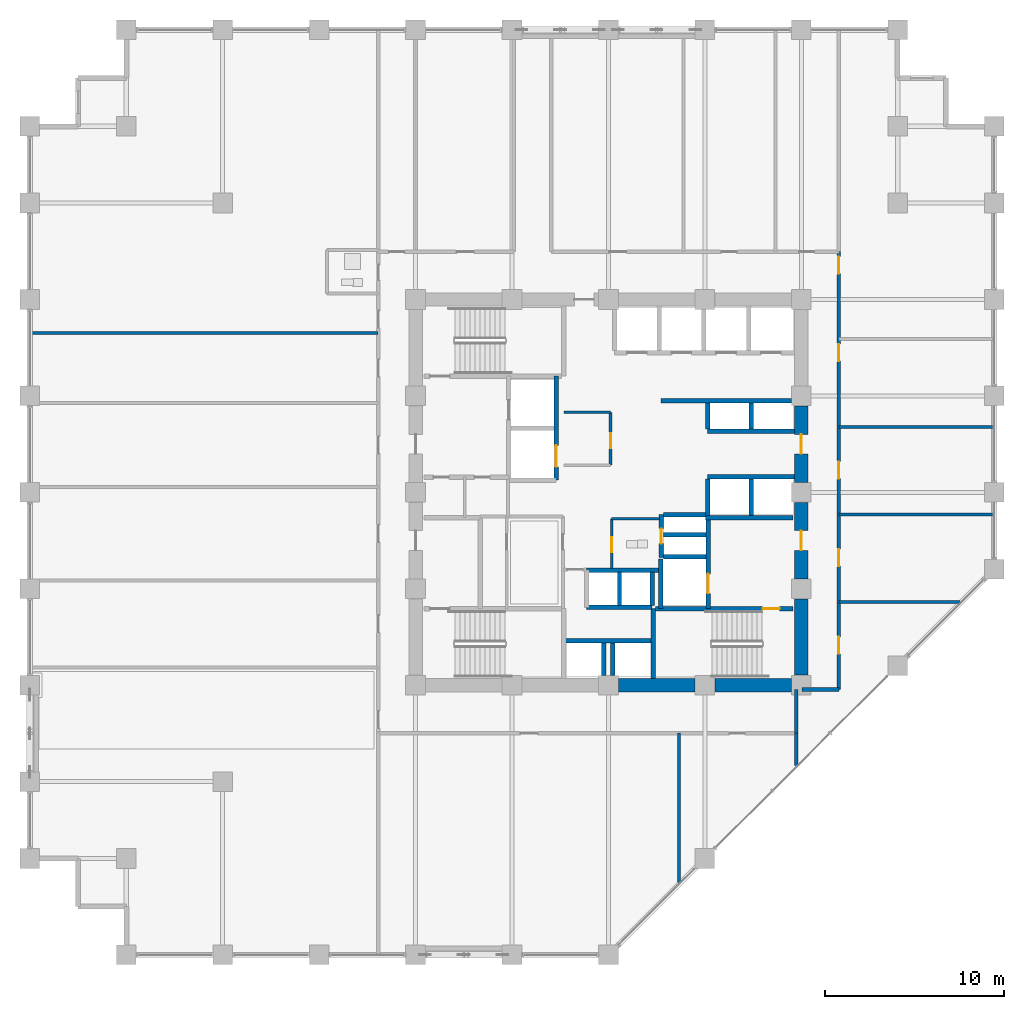
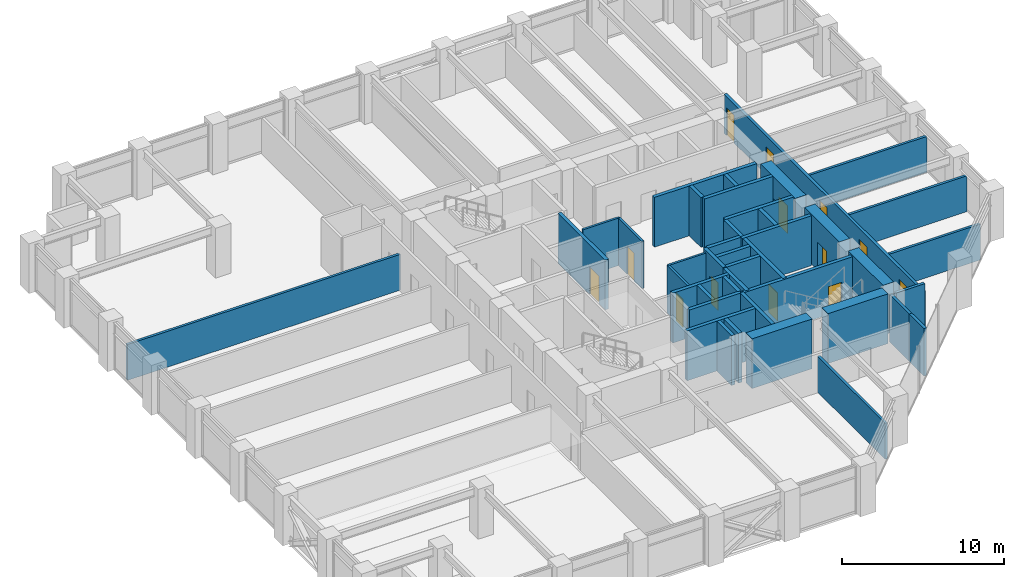
# One storey, part 20 of 25: 42 walls, 13 doors, 13 openings.
"""IFC4 building model written with IfcOpenShell, lengths in metres."""

from ifc_helpers import new_model, si_unit, direction, frame, frame_2d, origin, place, context, subcontext, project, spatial, rectangle, extrude, material, layer, layer_set, type_object, element, fill, save


model = new_model("IFC4")

# Units and contexts
model_context = context("Model", 3, precision=1e-05, world=origin(), true_north=direction((0.0, 1.0)))
body_context = subcontext(model_context, "Body", "Model", "MODEL_VIEW")
ifc_project = project(units=[si_unit("LENGTHUNIT", "METRE"), si_unit("AREAUNIT", "SQUARE_METRE"), si_unit("VOLUMEUNIT", "CUBIC_METRE"), si_unit("PLANEANGLEUNIT", "RADIAN"), si_unit("MASSUNIT", "GRAM", prefix="KILO")], contexts=[model_context])

# Site, building, storey
site_placement = place(None, origin())
site = spatial("IfcSite", under=ifc_project, at=site_placement, CompositionType="ELEMENT")
building_placement = place(site_placement, origin())
building = spatial("IfcBuilding", under=site, at=building_placement, Name="Surkhivell Harbour Commons", CompositionType="ELEMENT")
storey_placement = place(building_placement, frame((0.0, 0.0, 109.5)))
storey = spatial("IfcBuildingStorey", under=building, at=storey_placement, Name="L28", CompositionType="ELEMENT", Elevation=109.5)

# Wall
ifc_material_1 = material(Name="Concrete C60/75", Category="concrete")
ifc_layer_1 = layer(ifc_material_1, 0.75)
ifc_layer_set_1 = layer_set([ifc_layer_1], Name="Concrete C60/75")
wall_type_1 = type_object("IfcWallType", Name="WAL-CORE-750", PredefinedType="SHEAR", material=ifc_layer_set_1)
wall_1_placement = place(storey_placement, frame((10.800048828125, -10.239990234375, 0.0), z_axis=(0.0, 0.0, 1.0), x_axis=(0.0, 1.0, 0.0)))
element("IfcWall", 1, at=wall_1_placement, inside=storey, type_object=wall_type_1, Name="L28 Core Shear Wall East 1", PredefinedType="SHEAR", context=body_context, shape_type="SweptSolid", body=[
    extrude(rectangle(XDim=4.280029296875, YDim=0.75, at=frame_2d((2.14013671875, 0.0))), origin(), (0.0, 0.0, 1.0), 3.75),
])

# Wall, opening, door
wall_2_placement = place(storey_placement, frame((10.800048828125, -4.840087890625, 0.0), z_axis=(0.0, 0.0, 1.0), x_axis=(0.0, 1.0, 0.0)))
wall_2 = element("IfcWall", 2, at=wall_2_placement, inside=storey, type_object=wall_type_1, Name="L28 Core Shear Wall East 2", PredefinedType="SHEAR", context=body_context, shape_type="SweptSolid", body=[
    extrude(rectangle(XDim=4.280029296875, YDim=0.75, at=frame_2d((2.14013671875, 0.0))), origin(), (0.0, 0.0, 1.0), 3.75),
])
opening_1_placement = place(wall_2_placement, frame((1.590087890625, 0.0, 0.0)))
opening_1 = element("IfcOpeningElement", 3, at=opening_1_placement, cuts=wall_2, Name="Opening ID-1", PredefinedType="OPENING", context=body_context, shape_type="SweptSolid", body=[
    extrude(rectangle(XDim=1.10009765625, YDim=2.10009765625, at=frame_2d((0.550048828125, 1.050048828125))), frame((0.0, 0.385009765625, 0.0), z_axis=(0.0, -1.0, 0.0), x_axis=(1.0, 0.0, 0.0)), (0.0, 0.0, 1.0), 0.77001953125),
])
ifc_material_2 = material(Name="Hardwood-veneered fire-rated door leaf", Category="wood")
door_type_1 = type_object("IfcDoorType", Name="DOR-FD120-1100", OperationType="NOTDEFINED", PredefinedType="DOOR", material=ifc_material_2)
door_1_placement = place(opening_1_placement, origin())
door_1 = element("IfcDoor", 4, at=door_1_placement, inside=storey, type_object=door_type_1, Name="L28 Firefighting Lobby 2 Corridor Door", OperationType="SINGLE_SWING_RIGHT", OverallHeight=2.10009765625, OverallWidth=1.10009765625, PredefinedType="DOOR", context=body_context, shape_type="SweptSolid", body=[
    extrude(rectangle(XDim=1.10009765625, YDim=2.10009765625, at=frame_2d((0.550048828125, 1.050048828125))), frame((0.0, 0.02490234375, 0.0), z_axis=(0.0, -1.0, 0.0), x_axis=(1.0, 0.0, 0.0)), (0.0, 0.0, 1.0), 0.050048828125),
])
fill(opening_1, door_1)

# Wall
wall_3_placement = place(storey_placement, frame((0.56005859375, -10.800048828125, 0.0), z_axis=(0.0, 0.0, 1.0), x_axis=(1.0, 0.0, 0.0)))
element("IfcWall", 5, at=wall_3_placement, inside=storey, type_object=wall_type_1, Name="L28 Core Shear Wall South 3", PredefinedType="SHEAR", context=body_context, shape_type="SweptSolid", body=[
    extrude(rectangle(XDim=4.280029296875, YDim=0.75, at=frame_2d((2.14013671875, 0.0))), origin(), (0.0, 0.0, 1.0), 3.75),
])

# Wall, opening, door
wall_4_placement = place(storey_placement, frame((10.800048828125, 0.56005859375, 0.0), z_axis=(0.0, 0.0, 1.0), x_axis=(0.0, 1.0, 0.0)))
wall_4 = element("IfcWall", 6, at=wall_4_placement, inside=storey, type_object=wall_type_1, Name="L28 Core Shear Wall East 3", PredefinedType="SHEAR", context=body_context, shape_type="SweptSolid", body=[
    extrude(rectangle(XDim=4.280029296875, YDim=0.75, at=frame_2d((2.14013671875, 0.0))), origin(), (0.0, 0.0, 1.0), 3.75),
])
opening_2_placement = place(wall_4_placement, frame((1.590087890625, 0.0, 0.0)))
opening_2 = element("IfcOpeningElement", 7, at=opening_2_placement, cuts=wall_4, Name="Opening ID-2", PredefinedType="OPENING", context=body_context, shape_type="SweptSolid", body=[
    extrude(rectangle(XDim=1.10009765625, YDim=2.10009765625, at=frame_2d((0.550048828125, 1.050048828125))), frame((0.0, 0.385009765625, 0.0), z_axis=(0.0, -1.0, 0.0), x_axis=(1.0, 0.0, 0.0)), (0.0, 0.0, 1.0), 0.77001953125),
])
door_type_2 = type_object("IfcDoorType", Name="DOR-FD60-1100", OperationType="NOTDEFINED", PredefinedType="DOOR", material=ifc_material_2)
door_2_placement = place(opening_2_placement, origin())
door_2 = element("IfcDoor", 8, at=door_2_placement, inside=storey, type_object=door_type_2, Name="L28 Mid-Rise Lobby East Door", OperationType="SINGLE_SWING_LEFT", OverallHeight=2.10009765625, OverallWidth=1.10009765625, PredefinedType="DOOR", context=body_context, shape_type="SweptSolid", body=[
    extrude(rectangle(XDim=1.10009765625, YDim=2.10009765625, at=frame_2d((0.550048828125, 1.050048828125))), frame((0.0, 0.02490234375, 0.0), z_axis=(0.0, -1.0, 0.0), x_axis=(1.0, 0.0, 0.0)), (0.0, 0.0, 1.0), 0.050048828125),
])
fill(opening_2, door_2)

# Walls
wall_5_placement = place(storey_placement, frame((5.9599609375, -10.800048828125, 0.0), z_axis=(0.0, 0.0, 1.0), x_axis=(1.0, 0.0, 0.0)))
element("IfcWall", 9, at=wall_5_placement, inside=storey, type_object=wall_type_1, Name="L28 Core Shear Wall South 4", PredefinedType="SHEAR", context=body_context, shape_type="SweptSolid", body=[
    extrude(rectangle(XDim=4.280029296875, YDim=0.75, at=frame_2d((2.14013671875, 0.0))), origin(), (0.0, 0.0, 1.0), 3.75),
])
ifc_material_3 = material(Name="Twin-stud acoustic fireboard partition", Category="other")
ifc_layer_2 = layer(ifc_material_3, 0.14990234375)
ifc_layer_set_2 = layer_set([ifc_layer_2], Name="Twin-stud acoustic fireboard partition")
wall_type_2 = type_object("IfcWallType", Name="WAL-INT-150", PredefinedType="PARTITIONING", material=ifc_layer_set_2)
wall_6_placement = place(storey_placement, frame((0.179931640625, -1.47998046875, 0.0), z_axis=(0.0, 0.0, 1.0), x_axis=(1.0, 0.0, 0.0)))
element("IfcWall", 10, at=wall_6_placement, inside=storey, type_object=wall_type_2, Name="L28 Core Accessible WC North Wall", PredefinedType="PARTITIONING", context=body_context, shape_type="SweptSolid", body=[
    extrude(rectangle(XDim=2.670166015625, YDim=0.14990234375, at=frame_2d((1.3349609375, 0.0))), origin(), (0.0, 0.0, 1.0), 3.570068359375),
])

# Wall, opening, door
wall_7_placement = place(storey_placement, frame((0.179931640625, -4.25, 0.0), z_axis=(0.0, 0.0, 1.0), x_axis=(0.0, 1.0, 0.0)))
wall_7 = element("IfcWall", 11, at=wall_7_placement, inside=storey, type_object=wall_type_2, Name="L28 Core Accessible WC West Wall", PredefinedType="PARTITIONING", context=body_context, shape_type="SweptSolid", body=[
    extrude(rectangle(XDim=2.77001953125, YDim=0.14990234375, at=frame_2d((1.385009765625, 0.0))), origin(), (0.0, 0.0, 1.0), 3.570068359375),
])
opening_3_placement = place(wall_7_placement, frame((0.89990234375, 0.0, 0.0)))
opening_3 = element("IfcOpeningElement", 12, at=opening_3_placement, cuts=wall_7, Name="Opening ID-6", PredefinedType="OPENING", context=body_context, shape_type="SweptSolid", body=[
    extrude(rectangle(XDim=0.85009765625, YDim=2.10009765625, at=frame_2d((0.425048828125, 1.050048828125))), frame((0.0, 0.0849609375, 0.0), z_axis=(0.0, -1.0, 0.0), x_axis=(1.0, 0.0, 0.0)), (0.0, 0.0, 1.0), 0.169921875),
])
door_type_3 = type_object("IfcDoorType", Name="DOR-FD30-850", OperationType="NOTDEFINED", PredefinedType="DOOR", material=ifc_material_2)
door_3_placement = place(opening_3_placement, origin())
door_3 = element("IfcDoor", 13, at=door_3_placement, inside=storey, type_object=door_type_3, Name="L28 Floor Accessible WC Door", OperationType="SINGLE_SWING_LEFT", OverallHeight=2.10009765625, OverallWidth=0.85009765625, PredefinedType="DOOR", context=body_context, shape_type="SweptSolid", body=[
    extrude(rectangle(XDim=0.85009765625, YDim=2.10009765625, at=frame_2d((0.425048828125, 1.050048828125))), frame((0.0, 0.02490234375, 0.0), z_axis=(0.0, -1.0, 0.0), x_axis=(1.0, 0.0, 0.0)), (0.0, 0.0, 1.0), 0.050048828125),
])
fill(opening_3, door_3)

wall_8_placement = place(storey_placement, frame((0.1201171875, 1.52001953125, 0.0), z_axis=(0.0, 0.0, 1.0), x_axis=(0.0, 1.0, 0.0)))
wall_8 = element("IfcWall", 14, at=wall_8_placement, inside=storey, type_object=wall_type_2, Name="L28 Central Reading East Wall", PredefinedType="PARTITIONING", context=body_context, shape_type="SweptSolid", body=[
    extrude(rectangle(XDim=2.9599609375, YDim=0.14990234375, at=frame_2d((1.47998046875, 0.0))), origin(), (0.0, 0.0, 1.0), 3.570068359375),
])
opening_4_placement = place(wall_8_placement, frame((0.949951171875, 0.0, 0.0)))
opening_4 = element("IfcOpeningElement", 15, at=opening_4_placement, cuts=wall_8, Name="Opening ID-6", PredefinedType="OPENING", context=body_context, shape_type="SweptSolid", body=[
    extrude(rectangle(XDim=0.85009765625, YDim=2.10009765625, at=frame_2d((0.425048828125, 1.050048828125))), frame((0.0, 0.0849609375, 0.0), z_axis=(0.0, -1.0, 0.0), x_axis=(1.0, 0.0, 0.0)), (0.0, 0.0, 1.0), 0.169921875),
])
door_4_placement = place(opening_4_placement, origin())
door_4 = element("IfcDoor", 16, at=door_4_placement, inside=storey, type_object=door_type_3, Name="L28 Central Core Reading Door", OperationType="SINGLE_SWING_RIGHT", OverallHeight=2.10009765625, OverallWidth=0.85009765625, PredefinedType="DOOR", context=body_context, shape_type="SweptSolid", body=[
    extrude(rectangle(XDim=0.85009765625, YDim=2.10009765625, at=frame_2d((0.425048828125, 1.050048828125))), frame((0.0, 0.02490234375, 0.0), z_axis=(0.0, -1.0, 0.0), x_axis=(1.0, 0.0, 0.0)), (0.0, 0.0, 1.0), 0.050048828125),
])
fill(opening_4, door_4)

# Walls
wall_9_placement = place(storey_placement, frame((-2.47998046875, 4.47998046875, 0.0), z_axis=(0.0, 0.0, 1.0), x_axis=(1.0, 0.0, 0.0)))
element("IfcWall", 17, at=wall_9_placement, inside=storey, type_object=wall_type_2, Name="L28 Central Reading North Wall", PredefinedType="PARTITIONING", context=body_context, shape_type="SweptSolid", body=[
    extrude(rectangle(XDim=2.60009765625, YDim=0.14990234375, at=frame_2d((1.300048828125, 0.0))), origin(), (0.0, 0.0, 1.0), 3.570068359375),
])
ifc_material_4 = material(Name="High-density acoustic blockwork fire partition", Category="masonry")
ifc_layer_3 = layer(ifc_material_4, 0.175048828125)
ifc_layer_set_3 = layer_set([ifc_layer_3], Name="High-density acoustic blockwork fire partition")
wall_type_3 = type_object("IfcWallType", Name="WAL-INT-175", PredefinedType="PARTITIONING", material=ifc_layer_set_3)
wall_10_placement = place(storey_placement, frame((12.89990234375, -6.139892578125, 0.0), z_axis=(0.0, 0.0, 1.0), x_axis=(1.0, 0.0, 0.0)))
element("IfcWall", 18, at=wall_10_placement, inside=storey, type_object=wall_type_3, Name="L28 East Partition P1", PredefinedType="PARTITIONING", context=body_context, shape_type="SweptSolid", body=[
    extrude(rectangle(XDim=6.775146484375, YDim=0.175048828125, at=frame_2d((3.3876953125, 0.0))), origin(), (0.0, 0.0, 1.0), 2.698974609375),
])
for number, where, z_axis, x_axis, name in (
    (19, (12.89990234375, -1.22998046875, 0.0), (0.0, 0.0, 1.0), (1.0, 0.0, 0.0), "L28 East Partition P2"),
    (20, (12.89990234375, 3.669921875, 0.0), (0.0, 0.0, 1.0), (1.0, 0.0, 0.0), "L28 East Partition P3"),
):
    element("IfcWall", number, at=place(storey_placement, frame(where, z_axis=z_axis, x_axis=x_axis)), inside=storey, type_object=wall_type_3, Name=name, PredefinedType="PARTITIONING", context=body_context, shape_type="SweptSolid", body=[
        extrude(rectangle(XDim=8.64013671875, YDim=0.175048828125, at=frame_2d((4.320068359375, 0.0))), origin(), (0.0, 0.0, 1.0), 2.698974609375),
    ])
wall_11_placement = place(storey_placement, frame((3.9599609375, -21.855224609375, 0.0), z_axis=(0.0, 0.0, 1.0), x_axis=(0.0, 1.0, 0.0)))
element("IfcWall", 21, at=wall_11_placement, inside=storey, type_object=wall_type_3, Name="L28 South Partition P1", PredefinedType="PARTITIONING", context=body_context, shape_type="SweptSolid", body=[
    extrude(rectangle(XDim=8.375244140625, YDim=0.175048828125, at=frame_2d((4.1875, 0.0))), origin(), (0.0, 0.0, 1.0), 2.698974609375),
])
wall_12_placement = place(storey_placement, frame((-32.340087890625, 8.929931640625, 0.0), z_axis=(0.0, 0.0, 1.0), x_axis=(1.0, 0.0, 0.0)))
element("IfcWall", 22, at=wall_12_placement, inside=storey, type_object=wall_type_3, Name="L28 West Partition PTOP", PredefinedType="PARTITIONING", context=body_context, shape_type="SweptSolid", body=[
    extrude(rectangle(XDim=19.440185546875, YDim=0.175048828125, at=frame_2d((9.72021484375, 0.0))), origin(), (0.0, 0.0, 1.0), 2.698974609375),
])
ifc_material_5 = material(Name="Autoclaved aerated concrete blockwork and fire plaster", Category="masonry")
ifc_layer_4 = layer(ifc_material_5, 0.199951171875)
ifc_layer_set_4 = layer_set([ifc_layer_4], Name="Autoclaved aerated concrete blockwork and fire plaster")
wall_type_4 = type_object("IfcWallType", Name="WAL-INT-200", PredefinedType="PARTITIONING", material=ifc_layer_set_4)
wall_13_placement = place(storey_placement, frame((10.52001953125, -15.295166015625, 0.0), z_axis=(0.0, 0.0, 1.0), x_axis=(0.0, 1.0, 0.0)))
element("IfcWall", 23, at=wall_13_placement, inside=storey, type_object=wall_type_4, Name="L28 South-East Wing Corner Divider", PredefinedType="PARTITIONING", context=body_context, shape_type="SweptSolid", body=[
    extrude(rectangle(XDim=1.815185546875, YDim=0.199951171875, at=frame_2d((0.90771484375, 0.0))), origin(), (0.0, 0.0, 1.0), 3.570068359375),
])

# Wall, openings, doors
wall_14_placement = place(storey_placement, frame((12.89990234375, -11.0400390625, 0.0), z_axis=(0.0, 0.0, 1.0), x_axis=(0.0, 1.0, 0.0)))
wall_14 = element("IfcWall", 24, at=wall_14_placement, inside=storey, type_object=wall_type_4, Name="L28 Corridor East Wall", PredefinedType="PARTITIONING", context=body_context, shape_type="SweptSolid", body=[
    extrude(rectangle(XDim=24.52001953125, YDim=0.199951171875, at=frame_2d((12.260009765625, 0.0))), origin(), (0.0, 0.0, 1.0), 2.93310546875),
])
opening_5_placement = place(wall_14_placement, frame((2.0, 0.0, 0.0)))
opening_5 = element("IfcOpeningElement", 25, at=opening_5_placement, cuts=wall_14, Name="Opening ID-4", PredefinedType="OPENING", context=body_context, shape_type="SweptSolid", body=[
    extrude(rectangle(XDim=0.949951171875, YDim=2.10009765625, at=frame_2d((0.47509765625, 1.050048828125))), frame((0.0, 0.10986328125, 0.0), z_axis=(0.0, -1.0, 0.0), x_axis=(1.0, 0.0, 0.0)), (0.0, 0.0, 1.0), 0.219970703125),
])
opening_6_placement = place(wall_14_placement, frame((6.905029296875, 0.0, 0.0)))
opening_6 = element("IfcOpeningElement", 26, at=opening_6_placement, cuts=wall_14, Name="Opening ID-4", PredefinedType="OPENING", context=body_context, shape_type="SweptSolid", body=[
    extrude(rectangle(XDim=0.949951171875, YDim=2.10009765625, at=frame_2d((0.47509765625, 1.050048828125))), frame((0.0, 0.10986328125, 0.0), z_axis=(0.0, -1.0, 0.0), x_axis=(1.0, 0.0, 0.0)), (0.0, 0.0, 1.0), 0.219970703125),
])
opening_7_placement = place(wall_14_placement, frame((11.81005859375, 0.0, 0.0)))
opening_7 = element("IfcOpeningElement", 27, at=opening_7_placement, cuts=wall_14, Name="Opening ID-4", PredefinedType="OPENING", context=body_context, shape_type="SweptSolid", body=[
    extrude(rectangle(XDim=0.949951171875, YDim=2.10009765625, at=frame_2d((0.47509765625, 1.050048828125))), frame((0.0, 0.10986328125, 0.0), z_axis=(0.0, -1.0, 0.0), x_axis=(1.0, 0.0, 0.0)), (0.0, 0.0, 1.0), 0.219970703125),
])
opening_8_placement = place(wall_14_placement, frame((18.389892578125, 0.0, 0.0)))
opening_8 = element("IfcOpeningElement", 28, at=opening_8_placement, cuts=wall_14, Name="Opening ID-4", PredefinedType="OPENING", context=body_context, shape_type="SweptSolid", body=[
    extrude(rectangle(XDim=0.949951171875, YDim=2.10009765625, at=frame_2d((0.47509765625, 1.050048828125))), frame((0.0, 0.10986328125, 0.0), z_axis=(0.0, -1.0, 0.0), x_axis=(1.0, 0.0, 0.0)), (0.0, 0.0, 1.0), 0.219970703125),
])
opening_9_placement = place(wall_14_placement, frame((23.2900390625, 0.0, 0.0)))
opening_9 = element("IfcOpeningElement", 29, at=opening_9_placement, cuts=wall_14, Name="Opening ID-4", PredefinedType="OPENING", context=body_context, shape_type="SweptSolid", body=[
    extrude(rectangle(XDim=0.949951171875, YDim=2.10009765625, at=frame_2d((0.47509765625, 1.050048828125))), frame((0.0, 0.10986328125, 0.0), z_axis=(0.0, -1.0, 0.0), x_axis=(1.0, 0.0, 0.0)), (0.0, 0.0, 1.0), 0.219970703125),
])
door_type_4 = type_object("IfcDoorType", Name="DOR-FD60-950", OperationType="NOTDEFINED", PredefinedType="DOOR", material=ifc_material_2)
door_5_placement = place(opening_5_placement, origin())
door_5 = element("IfcDoor", 30, at=door_5_placement, inside=storey, type_object=door_type_4, Name="L28 Co-Working Study Office Pod 1 East Door", OperationType="SINGLE_SWING_LEFT", OverallHeight=2.10009765625, OverallWidth=0.949951171875, PredefinedType="DOOR", context=body_context, shape_type="SweptSolid", body=[
    extrude(rectangle(XDim=0.949951171875, YDim=2.10009765625, at=frame_2d((0.47509765625, 1.050048828125))), frame((0.0, 0.02490234375, 0.0), z_axis=(0.0, -1.0, 0.0), x_axis=(1.0, 0.0, 0.0)), (0.0, 0.0, 1.0), 0.050048828125),
])
fill(opening_5, door_5)
door_6_placement = place(opening_6_placement, origin())
door_6 = element("IfcDoor", 31, at=door_6_placement, inside=storey, type_object=door_type_4, Name="L28 Academic Seminar Pod 2 East Door", OperationType="SINGLE_SWING_RIGHT", OverallHeight=2.10009765625, OverallWidth=0.949951171875, PredefinedType="DOOR", context=body_context, shape_type="SweptSolid", body=[
    extrude(rectangle(XDim=0.949951171875, YDim=2.10009765625, at=frame_2d((0.47509765625, 1.050048828125))), frame((0.0, 0.02490234375, 0.0), z_axis=(0.0, -1.0, 0.0), x_axis=(1.0, 0.0, 0.0)), (0.0, 0.0, 1.0), 0.050048828125),
])
fill(opening_6, door_6)
door_7_placement = place(opening_7_placement, origin())
door_7 = element("IfcDoor", 32, at=door_7_placement, inside=storey, type_object=door_type_4, Name="L28 Harbour Espresso Cafe Shop 3 East Door", OperationType="SINGLE_SWING_LEFT", OverallHeight=2.10009765625, OverallWidth=0.949951171875, PredefinedType="DOOR", context=body_context, shape_type="SweptSolid", body=[
    extrude(rectangle(XDim=0.949951171875, YDim=2.10009765625, at=frame_2d((0.47509765625, 1.050048828125))), frame((0.0, 0.02490234375, 0.0), z_axis=(0.0, -1.0, 0.0), x_axis=(1.0, 0.0, 0.0)), (0.0, 0.0, 1.0), 0.050048828125),
])
fill(opening_7, door_7)
door_8_placement = place(opening_8_placement, origin())
door_8 = element("IfcDoor", 33, at=door_8_placement, inside=storey, type_object=door_type_4, Name="L28 Zone Concierge Reception Foyer 4 East Door", OperationType="SINGLE_SWING_RIGHT", OverallHeight=2.10009765625, OverallWidth=0.949951171875, PredefinedType="DOOR", context=body_context, shape_type="SweptSolid", body=[
    extrude(rectangle(XDim=0.949951171875, YDim=2.10009765625, at=frame_2d((0.47509765625, 1.050048828125))), frame((0.0, 0.02490234375, 0.0), z_axis=(0.0, -1.0, 0.0), x_axis=(1.0, 0.0, 0.0)), (0.0, 0.0, 1.0), 0.050048828125),
])
fill(opening_8, door_8)
door_9_placement = place(opening_9_placement, origin())
door_9 = element("IfcDoor", 34, at=door_9_placement, inside=storey, type_object=door_type_4, Name="L28 Shared Communal Kitchen 5 East Door", OperationType="SINGLE_SWING_LEFT", OverallHeight=2.10009765625, OverallWidth=0.949951171875, PredefinedType="DOOR", context=body_context, shape_type="SweptSolid", body=[
    extrude(rectangle(XDim=0.949951171875, YDim=2.10009765625, at=frame_2d((0.47509765625, 1.050048828125))), frame((0.0, 0.02490234375, 0.0), z_axis=(0.0, -1.0, 0.0), x_axis=(1.0, 0.0, 0.0)), (0.0, 0.0, 1.0), 0.050048828125),
])
fill(opening_9, door_9)

# Walls
wall_15_placement = place(storey_placement, frame((10.85009765625, -11.0400390625, 0.0), z_axis=(0.0, 0.0, 1.0), x_axis=(1.0, 0.0, 0.0)))
element("IfcWall", 35, at=wall_15_placement, inside=storey, type_object=wall_type_4, Name="L28 Corridor East South Closure Wall", PredefinedType="PARTITIONING", context=body_context, shape_type="SweptSolid", body=[
    extrude(rectangle(XDim=2.0498046875, YDim=0.199951171875, at=frame_2d((1.02490234375, 0.0))), origin(), (0.0, 0.0, 1.0), 3.570068359375),
])
wall_16_placement = place(storey_placement, frame((10.52001953125, -13.47998046875, 0.0), z_axis=(0.0, 0.0, 1.0), x_axis=(0.0, 1.0, 0.0)))
element("IfcWall", 36, at=wall_16_placement, inside=storey, type_object=wall_type_4, Name="L28 Corridor SE Closure Wall", PredefinedType="PARTITIONING", context=body_context, shape_type="SweptSolid", body=[
    extrude(rectangle(XDim=2.43994140625, YDim=0.199951171875, at=frame_2d((1.219970703125, 0.0))), origin(), (0.0, 0.0, 1.0), 3.570068359375),
])
ifc_material_6 = material(Name="Concrete C50/60", Category="concrete")
ifc_layer_5 = layer(ifc_material_6, 0.25)
ifc_layer_set_5 = layer_set([ifc_layer_5], Name="Concrete C50/60")
wall_type_5 = type_object("IfcWallType", Name="WAL-SHAFT-250", PredefinedType="SHEAR", material=ifc_layer_set_5)
wall_17_placement = place(storey_placement, frame((2.929931640625, -6.510009765625, 0.0), z_axis=(0.0, 0.0, 1.0), x_axis=(0.0, 1.0, 0.0)))
element("IfcWall", 37, at=wall_17_placement, inside=storey, type_object=wall_type_5, Name="L28 FFL2 West Shaft Wall", PredefinedType="SHEAR", context=body_context, shape_type="SweptSolid", body=[
    extrude(rectangle(XDim=2.7900390625, YDim=0.25, at=frame_2d((1.39501953125, 0.0))), origin(), (0.0, 0.0, 1.0), 3.75),
])
wall_18_placement = place(storey_placement, frame((5.43994140625, -1.419921875, 0.0), z_axis=(0.0, 0.0, 1.0), x_axis=(1.0, 0.0, 0.0)))
element("IfcWall", 38, at=wall_18_placement, inside=storey, type_object=wall_type_5, Name="L28 Firefighting Lobby 2 North Wall", PredefinedType="SHEAR", context=body_context, shape_type="SweptSolid", body=[
    extrude(rectangle(XDim=4.900146484375, YDim=0.25, at=frame_2d((2.4501953125, 0.0))), origin(), (0.0, 0.0, 1.0), 3.75),
])
wall_19_placement = place(storey_placement, frame((3.080078125, -3.60009765625, 0.0), z_axis=(0.0, 0.0, 1.0), x_axis=(1.0, 0.0, 0.0)))
element("IfcWall", 39, at=wall_19_placement, inside=storey, type_object=wall_type_5, Name="L28 FFL2 North Shaft Wall", PredefinedType="SHEAR", context=body_context, shape_type="SweptSolid", body=[
    extrude(rectangle(XDim=2.369873046875, YDim=0.25, at=frame_2d((1.18505859375, 0.0))), origin(), (0.0, 0.0, 1.0), 3.75),
])

# Wall, opening, door
wall_20_placement = place(storey_placement, frame((5.580078125, -6.510009765625, 0.0), z_axis=(0.0, 0.0, 1.0), x_axis=(0.0, 1.0, 0.0)))
wall_20 = element("IfcWall", 40, at=wall_20_placement, inside=storey, type_object=wall_type_5, Name="L28 Firefighting Lobby 2 West Shaft Wall", PredefinedType="SHEAR", context=body_context, shape_type="SweptSolid", body=[
    extrude(rectangle(XDim=5.090087890625, YDim=0.25, at=frame_2d((2.544921875, 0.0))), origin(), (0.0, 0.0, 1.0), 3.75),
])
opening_10_placement = place(wall_20_placement, frame((0.85009765625, 0.0, 0.0)))
opening_10 = element("IfcOpeningElement", 41, at=opening_10_placement, cuts=wall_20, Name="Opening LD-1", PredefinedType="OPENING", context=body_context, shape_type="SweptSolid", body=[
    extrude(rectangle(XDim=1.10009765625, YDim=2.10009765625, at=frame_2d((0.550048828125, 1.050048828125))), frame((0.0, 0.135009765625, 0.0), z_axis=(0.0, -1.0, 0.0), x_axis=(1.0, 0.0, 0.0)), (0.0, 0.0, 1.0), 0.27001953125),
])
ifc_material_7 = material(Name="Brushed stainless steel S355", Category="steel")
door_type_5 = type_object("IfcDoorType", Name="DOR-LD-1100", OperationType="SLIDING_TO_LEFT", PredefinedType="DOOR", material=ifc_material_7)
door_10_placement = place(opening_10_placement, origin())
door_10 = element("IfcDoor", 42, at=door_10_placement, inside=storey, type_object=door_type_5, Name="L28 Lift Landing Door LD-FFL2", OperationType="SLIDING_TO_RIGHT", OverallHeight=2.10009765625, OverallWidth=1.10009765625, PredefinedType="DOOR", context=body_context, shape_type="SweptSolid", body=[
    extrude(rectangle(XDim=1.10009765625, YDim=2.10009765625, at=frame_2d((0.550048828125, 1.050048828125))), frame((0.0, 0.02490234375, 0.0), z_axis=(0.0, -1.0, 0.0), x_axis=(1.0, 0.0, 0.0)), (0.0, 0.0, 1.0), 0.050048828125),
])
fill(opening_10, door_10)

# Walls
for number, where, z_axis, x_axis, name in (
    (43, (0.6201171875, -6.340087890625, 0.0), (0.0, 0.0, 1.0), (0.0, 1.0, 0.0), "L28 High-Rise Side Wall N"),
    (44, (2.449951171875, -6.340087890625, 0.0), (0.0, 0.0, 1.0), (0.0, 1.0, 0.0), "L28 High-Rise Side Wall N"),
):
    element("IfcWall", number, at=place(storey_placement, frame(where, z_axis=z_axis, x_axis=x_axis)), inside=storey, type_object=wall_type_5, Name=name, PredefinedType="SHEAR", context=body_context, shape_type="SweptSolid", body=[
        extrude(rectangle(XDim=1.880126953125, YDim=0.25, at=frame_2d((0.93994140625, 0.0))), origin(), (0.0, 0.0, 1.0), 3.75),
    ])
for number, where, z_axis, x_axis, name in (
    (45, (-0.25, -10.25, 0.0), (0.0, 0.0, 1.0), (0.0, 1.0, 0.0), "L28 High-Rise Side Wall S"),
    (46, (0.25, -10.25, 0.0), (0.0, 0.0, 1.0), (0.0, 1.0, 0.0), "L28 High-Rise Side Wall S"),
):
    element("IfcWall", number, at=place(storey_placement, frame(where, z_axis=z_axis, x_axis=x_axis)), inside=storey, type_object=wall_type_5, Name=name, PredefinedType="SHEAR", context=body_context, shape_type="SweptSolid", body=[
        extrude(rectangle(XDim=1.81005859375, YDim=0.25, at=frame_2d((0.905029296875, 0.0))), origin(), (0.0, 0.0, 1.0), 3.75),
    ])
wall_21_placement = place(storey_placement, frame((-1.219970703125, -6.43994140625, 0.0), z_axis=(0.0, 0.0, 1.0), x_axis=(1.0, 0.0, 0.0)))
element("IfcWall", 47, at=wall_21_placement, inside=storey, type_object=wall_type_5, Name="L28 High-Rise North Front Shaft Wall", PredefinedType="SHEAR", context=body_context, shape_type="SweptSolid", body=[
    extrude(rectangle(XDim=3.669921875, YDim=0.25, at=frame_2d((1.8349609375, 0.0))), origin(), (0.0, 0.0, 1.0), 3.75),
])
wall_22_placement = place(storey_placement, frame((-2.47998046875, -8.320068359375, 0.0), z_axis=(0.0, 0.0, 1.0), x_axis=(1.0, 0.0, 0.0)))
element("IfcWall", 48, at=wall_22_placement, inside=storey, type_object=wall_type_5, Name="L28 High-Rise South Front Shaft Wall", PredefinedType="SHEAR", context=body_context, shape_type="SweptSolid", body=[
    extrude(rectangle(XDim=4.929931640625, YDim=0.25, at=frame_2d((2.46484375, 0.0))), origin(), (0.0, 0.0, 1.0), 3.75),
])
wall_23_placement = place(storey_placement, frame((-1.219970703125, -4.360107421875, 0.0), z_axis=(0.0, 0.0, 1.0), x_axis=(1.0, 0.0, 0.0)))
element("IfcWall", 49, at=wall_23_placement, inside=storey, type_object=wall_type_5, Name="L28 High-Rise North Back Shaft Wall", PredefinedType="SHEAR", context=body_context, shape_type="SweptSolid", body=[
    extrude(rectangle(XDim=4.030029296875, YDim=0.25, at=frame_2d((2.01513671875, 0.0))), origin(), (0.0, 0.0, 1.0), 3.75),
])
wall_24_placement = place(storey_placement, frame((2.949951171875, 5.1201171875, 0.0), z_axis=(0.0, 0.0, 1.0), x_axis=(1.0, 0.0, 0.0)))
element("IfcWall", 50, at=wall_24_placement, inside=storey, type_object=wall_type_5, Name="L28 Low-Rise Lobby South Wall", PredefinedType="SHEAR", context=body_context, shape_type="SweptSolid", body=[
    extrude(rectangle(XDim=7.300048828125, YDim=0.25, at=frame_2d((3.64990234375, 0.0))), origin(), (0.0, 0.0, 1.0), 3.75),
])
for number, where, z_axis, x_axis, name in (
    (51, (5.550048828125, 3.550048828125, 0.0), (0.0, 0.0, 1.0), (0.0, 1.0, 0.0), "L28 Mid-Rise Shaft Side Wall N"),
    (52, (8.0, 3.550048828125, 0.0), (0.0, 0.0, 1.0), (0.0, 1.0, 0.0), "L28 Mid-Rise Shaft Side Wall N"),
):
    element("IfcWall", number, at=place(storey_placement, frame(where, z_axis=z_axis, x_axis=x_axis)), inside=storey, type_object=wall_type_5, Name=name, PredefinedType="SHEAR", context=body_context, shape_type="SweptSolid", body=[
        extrude(rectangle(XDim=1.449951171875, YDim=0.25, at=frame_2d((0.72509765625, 0.0))), origin(), (0.0, 0.0, 1.0), 3.75),
    ])
for number, where, z_axis, x_axis, name in (
    (53, (5.550048828125, -1.300048828125, 0.0), (0.0, 0.0, 1.0), (0.0, 1.0, 0.0), "L28 Mid-Rise Shaft Side Wall S"),
    (54, (8.0, -1.300048828125, 0.0), (0.0, 0.0, 1.0), (0.0, 1.0, 0.0), "L28 Mid-Rise Shaft Side Wall S"),
):
    element("IfcWall", number, at=place(storey_placement, frame(where, z_axis=z_axis, x_axis=x_axis)), inside=storey, type_object=wall_type_5, Name=name, PredefinedType="SHEAR", context=body_context, shape_type="SweptSolid", body=[
        extrude(rectangle(XDim=2.0400390625, YDim=0.25, at=frame_2d((1.02001953125, 0.0))), origin(), (0.0, 0.0, 1.0), 3.75),
    ])
for number, where, z_axis, x_axis, name in (
    (55, (5.550048828125, 3.429931640625, 0.0), (0.0, 0.0, 1.0), (1.0, 0.0, 0.0), "L28 Mid-Rise North Front Shaft Wall"),
    (56, (5.550048828125, 0.8701171875, 0.0), (0.0, 0.0, 1.0), (1.0, 0.0, 0.0), "L28 Mid-Rise South Front Shaft Wall"),
):
    element("IfcWall", number, at=place(storey_placement, frame(where, z_axis=z_axis, x_axis=x_axis)), inside=storey, type_object=wall_type_5, Name=name, PredefinedType="SHEAR", context=body_context, shape_type="SweptSolid", body=[
        extrude(rectangle(XDim=4.875, YDim=0.25, at=frame_2d((2.4375, 0.0))), origin(), (0.0, 0.0, 1.0), 3.75),
    ])
for number, where, z_axis, x_axis, name in (
    (57, (3.080078125, -2.3798828125, 0.0), (0.0, 0.0, 1.0), (1.0, 0.0, 0.0), "L28 Riser Divider Wall"),
    (58, (3.080078125, -1.25, 0.0), (0.0, 0.0, 1.0), (1.0, 0.0, 0.0), "L28 Riser North Wall"),
):
    element("IfcWall", number, at=place(storey_placement, frame(where, z_axis=z_axis, x_axis=x_axis)), inside=storey, type_object=wall_type_5, Name=name, PredefinedType="SHEAR", context=body_context, shape_type="SweptSolid", body=[
        extrude(rectangle(XDim=2.369873046875, YDim=0.25, at=frame_2d((1.18505859375, 0.0))), origin(), (0.0, 0.0, 1.0), 3.75),
    ])

# Wall, opening, door
wall_25_placement = place(storey_placement, frame((2.949951171875, -3.64990234375, 0.0), z_axis=(0.0, 0.0, 1.0), x_axis=(0.0, 1.0, 0.0)))
wall_25 = element("IfcWall", 59, at=wall_25_placement, inside=storey, type_object=wall_type_5, Name="L28 Riser Shaft West Wall", PredefinedType="SHEAR", context=body_context, shape_type="SweptSolid", body=[
    extrude(rectangle(XDim=2.39990234375, YDim=0.25, at=frame_2d((1.199951171875, 0.0))), origin(), (0.0, 0.0, 1.0), 3.75),
])
opening_11_placement = place(wall_25_placement, frame((0.77490234375, 0.0, 0.0)))
opening_11 = element("IfcOpeningElement", 60, at=opening_11_placement, cuts=wall_25, Name="Opening ID-6", PredefinedType="OPENING", context=body_context, shape_type="SweptSolid", body=[
    extrude(rectangle(XDim=0.85009765625, YDim=2.10009765625, at=frame_2d((0.425048828125, 1.050048828125))), frame((0.0, 0.135009765625, 0.0), z_axis=(0.0, -1.0, 0.0), x_axis=(1.0, 0.0, 0.0)), (0.0, 0.0, 1.0), 0.27001953125),
])
door_11_placement = place(opening_11_placement, origin())
door_11 = element("IfcDoor", 61, at=door_11_placement, inside=storey, type_object=door_type_3, Name="L28 Electrical Riser Access Door", OperationType="SINGLE_SWING_LEFT", OverallHeight=2.10009765625, OverallWidth=0.85009765625, PredefinedType="DOOR", context=body_context, shape_type="SweptSolid", body=[
    extrude(rectangle(XDim=0.85009765625, YDim=2.10009765625, at=frame_2d((0.425048828125, 1.050048828125))), frame((0.0, 0.02490234375, 0.0), z_axis=(0.0, -1.0, 0.0), x_axis=(1.0, 0.0, 0.0)), (0.0, 0.0, 1.0), 0.050048828125),
])
fill(opening_11, door_11)

wall_26_placement = place(storey_placement, frame((2.639892578125, -6.510009765625, 0.0), z_axis=(0.0, 0.0, 1.0), x_axis=(1.0, 0.0, 0.0)))
wall_26 = element("IfcWall", 62, at=wall_26_placement, inside=storey, type_object=wall_type_5, Name="L28 Stair ST2 North Shear Wall", PredefinedType="SHEAR", context=body_context, shape_type="SweptSolid", body=[
    extrude(rectangle(XDim=7.7001953125, YDim=0.25, at=frame_2d((3.85009765625, 0.0))), origin(), (0.0, 0.0, 1.0), 3.75),
])
opening_12_placement = place(wall_26_placement, frame((6.0, 0.0, 0.0)))
opening_12 = element("IfcOpeningElement", 63, at=opening_12_placement, cuts=wall_26, Name="Opening ID-4", PredefinedType="OPENING", context=body_context, shape_type="SweptSolid", body=[
    extrude(rectangle(XDim=0.949951171875, YDim=2.10009765625, at=frame_2d((0.47509765625, 1.050048828125))), frame((0.0, 0.135009765625, 0.0), z_axis=(0.0, -1.0, 0.0), x_axis=(1.0, 0.0, 0.0)), (0.0, 0.0, 1.0), 0.27001953125),
])
door_12_placement = place(opening_12_placement, origin())
door_12 = element("IfcDoor", 64, at=door_12_placement, inside=storey, type_object=door_type_4, Name="L28 Stair ST2 Exit Door", OperationType="SINGLE_SWING_RIGHT", OverallHeight=2.10009765625, OverallWidth=0.949951171875, PredefinedType="DOOR", context=body_context, shape_type="SweptSolid", body=[
    extrude(rectangle(XDim=0.949951171875, YDim=2.10009765625, at=frame_2d((0.47509765625, 1.050048828125))), frame((0.0, 0.02490234375, 0.0), z_axis=(0.0, -1.0, 0.0), x_axis=(1.0, 0.0, 0.0)), (0.0, 0.0, 1.0), 0.050048828125),
])
fill(opening_12, door_12)

# Wall
wall_27_placement = place(storey_placement, frame((2.510009765625, -10.425048828125, 0.0), z_axis=(0.0, 0.0, 1.0), x_axis=(0.0, 1.0, 0.0)))
element("IfcWall", 65, at=wall_27_placement, inside=storey, type_object=wall_type_5, Name="L28 Stair ST2 West Shear Wall", PredefinedType="SHEAR", context=body_context, shape_type="SweptSolid", body=[
    extrude(rectangle(XDim=3.9150390625, YDim=0.25, at=frame_2d((1.95751953125, 0.0))), origin(), (0.0, 0.0, 1.0), 3.75),
])

# Wall, opening, door
wall_28_placement = place(storey_placement, frame((-2.929931640625, 0.679931640625, 0.0), z_axis=(0.0, 0.0, 1.0), x_axis=(0.0, 1.0, 0.0)))
wall_28 = element("IfcWall", 66, at=wall_28_placement, inside=storey, type_object=wall_type_5, Name="L28 Service and Fire Lift East Shaft Wall", PredefinedType="SHEAR", context=body_context, shape_type="SweptSolid", body=[
    extrude(rectangle(XDim=5.830078125, YDim=0.25, at=frame_2d((2.9150390625, 0.0))), origin(), (0.0, 0.0, 1.0), 3.75),
])
opening_13_placement = place(wall_28_placement, frame((0.75, 0.0, 0.0)))
opening_13 = element("IfcOpeningElement", 67, at=opening_13_placement, cuts=wall_28, Name="Opening LD-2", PredefinedType="OPENING", context=body_context, shape_type="SweptSolid", body=[
    extrude(rectangle(XDim=1.199951171875, YDim=2.10009765625, at=frame_2d((0.60009765625, 1.050048828125))), frame((0.0, 0.135009765625, 0.0), z_axis=(0.0, -1.0, 0.0), x_axis=(1.0, 0.0, 0.0)), (0.0, 0.0, 1.0), 0.27001953125),
])
door_type_6 = type_object("IfcDoorType", Name="DOR-LD-1200", OperationType="SLIDING_TO_LEFT", PredefinedType="DOOR", material=ifc_material_7)
door_13_placement = place(opening_13_placement, origin())
door_13 = element("IfcDoor", 68, at=door_13_placement, inside=storey, type_object=door_type_6, Name="L28 Lift Landing Door LD-SVL1", OperationType="SLIDING_TO_LEFT", OverallHeight=2.10009765625, OverallWidth=1.199951171875, PredefinedType="DOOR", context=body_context, shape_type="SweptSolid", body=[
    extrude(rectangle(XDim=1.199951171875, YDim=2.10009765625, at=frame_2d((0.60009765625, 1.050048828125))), frame((0.0, 0.02490234375, 0.0), z_axis=(0.0, -1.0, 0.0), x_axis=(1.0, 0.0, 0.0)), (0.0, 0.0, 1.0), 0.050048828125),
])
fill(opening_13, door_13)

save(model, "model.ifc")
